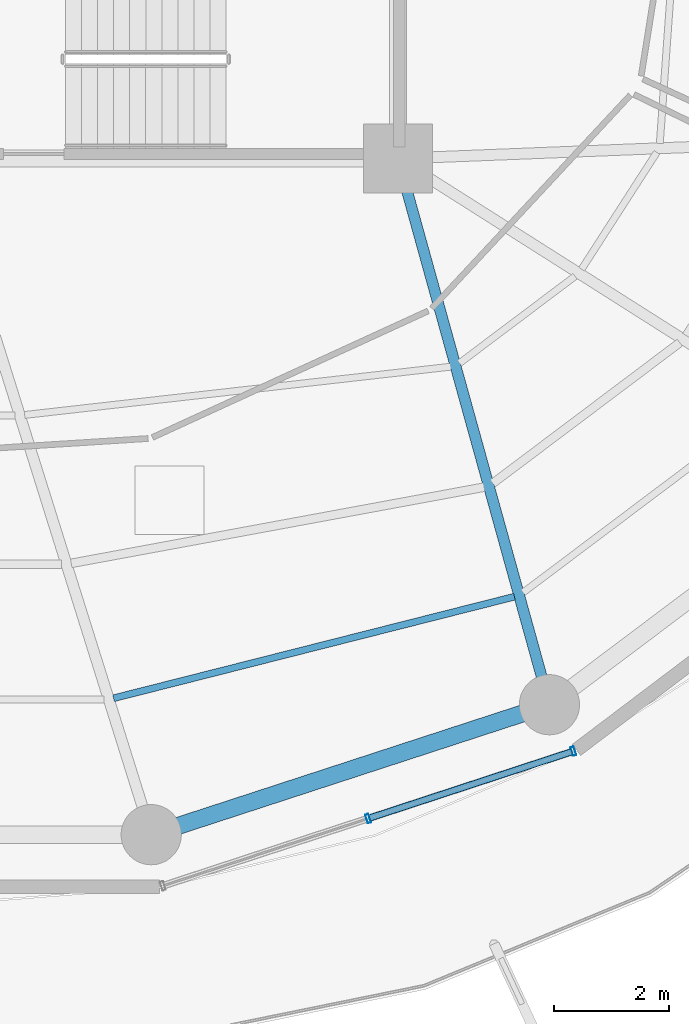
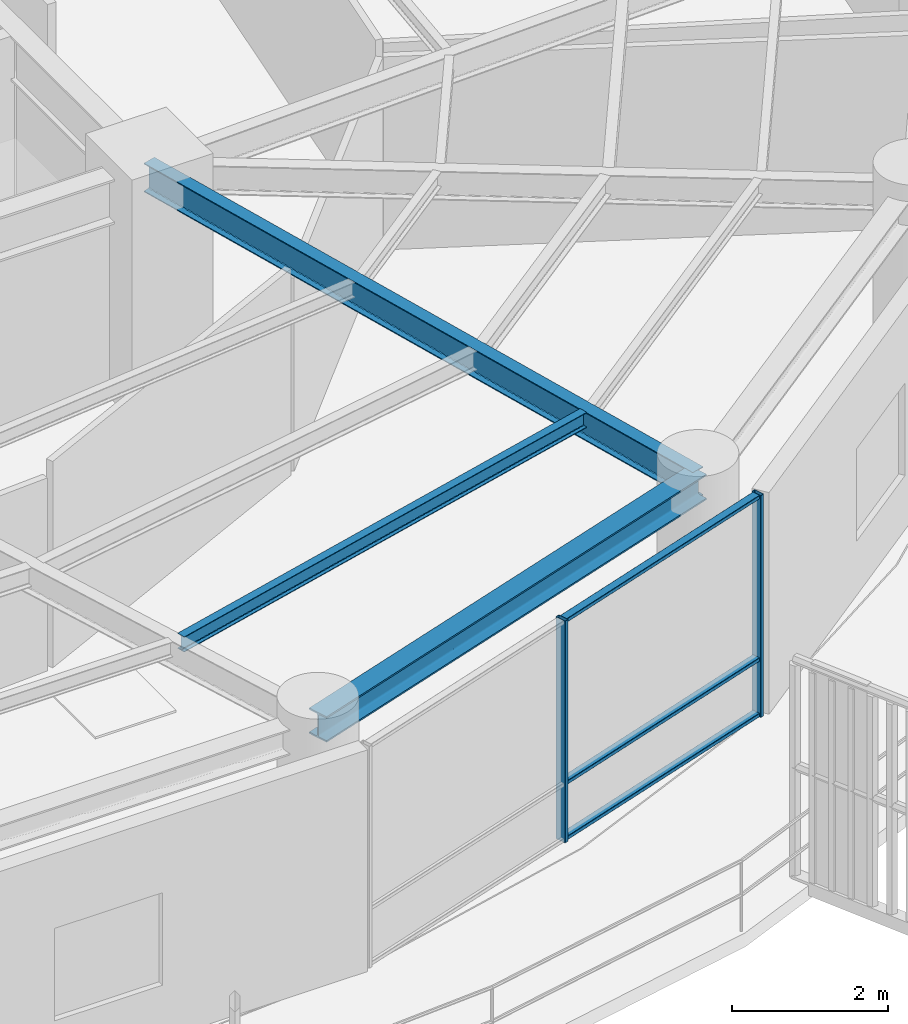
# One storey, part 10 of 30: 5 members, 3 beams, 1 element without a shape of its own.
"""IFC4 building model written with IfcOpenShell, lengths in metres."""

import ifcopenshell
import ifcopenshell.guid

model = None  # the IFC model being written
_history = None  # IfcOwnerHistory: only IFC2X3 demands one
_inside = {}  # id of a spatial element -> (the spatial element, [elements in it])
_under = {}  # id of a project, library or spatial element -> (it, [spatial elements below it])
_declared = {}  # id of a project -> (the project, [libraries it declares])
_typed = {}  # id of a type object -> (the type object, [elements of that type])
_made_of = {}  # id of a material, layer set ... -> (it, [elements and type objects made of it])


def new_model(schema):
    """Start an empty IFC model of exactly this schema.

    Asked for "IFC4X3", IfcOpenShell would pick the latest addendum, in which some entities
    have other attributes; the version numbers below select the first issue.
    IFC2X3 requires an IfcOwnerHistory on every rooted entity: one is made here for all.
    """
    global model, _history
    if schema == "IFC4X3":
        model = ifcopenshell.file(schema_version=(4, 3, 0, 0))
    else:
        model = ifcopenshell.file(schema=schema)
    _inside.clear()
    _under.clear()
    _declared.clear()
    _typed.clear()
    _made_of.clear()
    _history = None
    if model.schema == "IFC2X3":
        org = make("IfcOrganization", Name="unknown")
        user = make(
            "IfcPersonAndOrganization",
            ThePerson=make("IfcPerson", FamilyName="unknown"),
            TheOrganization=org,
        )
        app = make(
            "IfcApplication",
            ApplicationDeveloper=org,
            Version="unknown",
            ApplicationFullName="unknown",
            ApplicationIdentifier="unknown",
        )
        _history = make(
            "IfcOwnerHistory",
            OwningUser=user,
            OwningApplication=app,
            ChangeAction="ADDED",
            CreationDate=0,
        )
    return model


def make(cls, **values):
    """One entity of the class cls with the attributes given. An attribute that is None is left unset."""
    return model.create_entity(
        cls, **{name: value for name, value in values.items() if value is not None}
    )


def rooted(cls, **values):
    """An entity with a GlobalId (a new one), such as an element, a storey or a relation."""
    return make(cls, GlobalId=ifcopenshell.guid.new(), OwnerHistory=_history, **values)


def si_unit(unit_type, name, prefix=None):
    """IfcSIUnit, for example si_unit("LENGTHUNIT", "METRE", prefix="MILLI")."""
    return make("IfcSIUnit", UnitType=unit_type, Prefix=prefix, Name=name)


def assignment(units):
    """IfcUnitAssignment: the units of a project."""
    return None if units is None else make("IfcUnitAssignment", Units=units)


def point(xyz):
    """IfcCartesianPoint."""
    return None if xyz is None else make("IfcCartesianPoint", Coordinates=xyz)


def direction(xyz):
    """IfcDirection."""
    return None if xyz is None else make("IfcDirection", DirectionRatios=xyz)


def frame(location, z_axis=None, x_axis=None):
    """IfcAxis2Placement3D, a coordinate frame: its origin and axes. An axis left out is left unset."""
    return make(
        "IfcAxis2Placement3D",
        Location=point(location),
        Axis=direction(z_axis),
        RefDirection=direction(x_axis),
    )


def frame_2d(location, x_axis=None):
    """IfcAxis2Placement2D, a coordinate frame in the plane: its origin and x axis."""
    return make(
        "IfcAxis2Placement2D", Location=point(location), RefDirection=direction(x_axis)
    )


def origin():
    """The frame at (0, 0, 0) with its axes left unset."""
    return frame((0.0, 0.0, 0.0))


def origin_2d():
    """The frame at (0, 0) in the plane with its x axis left unset."""
    return frame_2d((0.0, 0.0))


def place(relative_to, where):
    """IfcLocalPlacement: puts the frame where relative to a parent placement (None: the world)."""
    return make(
        "IfcLocalPlacement", PlacementRelTo=relative_to, RelativePlacement=where
    )


def context(
    kind, dimensions, precision=None, world=None, true_north=None, identifier=None
):
    """IfcGeometricRepresentationContext, for example the 3D "Model" context."""
    return make(
        "IfcGeometricRepresentationContext",
        ContextIdentifier=identifier,
        ContextType=kind,
        CoordinateSpaceDimension=dimensions,
        Precision=precision,
        WorldCoordinateSystem=world,
        TrueNorth=true_north,
    )


def subcontext(parent, identifier, kind, view, scale=None):
    """IfcGeometricRepresentationSubContext, for example "Body" below "Model"."""
    return make(
        "IfcGeometricRepresentationSubContext",
        ContextIdentifier=identifier,
        ContextType=kind,
        ParentContext=parent,
        TargetScale=scale,
        TargetView=view,
    )


def project(units=None, contexts=None):
    """IfcProject with its units and contexts."""
    return rooted(
        "IfcProject",
        Name="project",
        RepresentationContexts=contexts,
        UnitsInContext=assignment(units),
    )


def spatial(cls, under=None, at=None, **own):
    """A site, building, storey or space (cls), placed at a placement, below another one or the project."""
    s = rooted(cls, ObjectPlacement=at, **own)
    if under is not None:
        _under.setdefault(under.id(), (under, []))[1].append(s)
    return s


def profile(cls, at=None, kind="AREA", **sizes):
    """A parametric profile (cls). Its sizes go by their IFC names, for example OverallWidth=200.0."""
    return make(cls, ProfileType=kind, Position=at, **sizes)


def hollow_rectangle(**sizes):
    """IfcRectangleHollowProfileDef."""
    return profile("IfcRectangleHollowProfileDef", **sizes)


def i_section(**sizes):
    """IfcIShapeProfileDef."""
    return profile("IfcIShapeProfileDef", **sizes)


def extrude(swept, where, along, depth):
    """IfcExtrudedAreaSolid: the profile swept, set in the frame where, extruded along a direction by depth."""
    return make(
        "IfcExtrudedAreaSolid",
        SweptArea=swept,
        Position=where,
        ExtrudedDirection=direction(along),
        Depth=depth,
    )


def shape(context_of_items, identifier, shape_type, items):
    """IfcShapeRepresentation: the items that make up one representation, for example the "Body"."""
    return make(
        "IfcShapeRepresentation",
        ContextOfItems=context_of_items,
        RepresentationIdentifier=identifier,
        RepresentationType=shape_type,
        Items=items,
    )


def material(Name=None, Category=None):
    """IfcMaterial."""
    return make("IfcMaterial", Name=Name, Category=Category)


def layer(
    of_material, thickness, ventilated=None, Name=None, Category=None, Priority=None
):
    """IfcMaterialLayer: one layer of a wall or slab, of a material (None: an air gap)."""
    return make(
        "IfcMaterialLayer",
        Material=of_material,
        LayerThickness=thickness,
        IsVentilated=ventilated,
        Name=Name,
        Category=Category,
        Priority=Priority,
    )


def layer_set(layers, Name=None):
    """IfcMaterialLayerSet."""
    return make("IfcMaterialLayerSet", MaterialLayers=layers, LayerSetName=Name)


def material_profile(
    of_material, cross_section, Name=None, Category=None, Priority=None
):
    """IfcMaterialProfile: a cross section and its material."""
    return make(
        "IfcMaterialProfile",
        Name=Name,
        Material=of_material,
        Profile=cross_section,
        Priority=Priority,
        Category=Category,
    )


def profile_set(profiles, Name=None, composite=None):
    """IfcMaterialProfileSet."""
    return make(
        "IfcMaterialProfileSet",
        Name=Name,
        MaterialProfiles=profiles,
        CompositeProfile=composite,
    )


def made_of(thing, what):
    """Note that an element or type object is made of a material, layer set ...; save() writes the relation."""
    if what is not None:
        _made_of.setdefault(what.id(), (what, []))[1].append(thing)
    return thing


def type_object(cls, material=None, **own):
    """A type object (cls), such as IfcWallType, which elements share."""
    return made_of(rooted(cls, **own), material)


def element(
    cls,
    number,
    at=None,
    inside=None,
    cuts=None,
    type_object=None,
    material=None,
    context=None,
    identifier="Body",
    shape_type=None,
    held_by="IfcProductDefinitionShape",
    body=None,
    shapes=None,
    **own,
):
    """One element of the class cls, such as IfcWall. Its Tag is "e" and its number.

    at: its placement. inside: the storey or other place that contains it. cuts: it is an
    opening in that element (IfcRelVoidsElement). A single representation is given by context,
    identifier, shape_type and body (its items); several are given by shapes. held_by: the class
    of the entity that holds the representations. save() writes the other relations.
    """
    e = rooted(cls, Tag="e%d" % number, ObjectPlacement=at, **own)
    if body is not None:
        shapes = [shape(context, identifier, shape_type, body)]
    if shapes is not None:
        e.Representation = make(held_by, Representations=shapes)
    if inside is not None:
        _inside.setdefault(inside.id(), (inside, []))[1].append(e)
    if cuts is not None:
        rooted(
            "IfcRelVoidsElement", RelatingBuildingElement=cuts, RelatedOpeningElement=e
        )
    if type_object is not None:
        _typed.setdefault(type_object.id(), (type_object, []))[1].append(e)
    return made_of(e, material)


def aggregate(whole, parts):
    """IfcRelAggregates: a whole, such as a stair, and the parts it consists of."""
    return rooted("IfcRelAggregates", RelatingObject=whole, RelatedObjects=parts)


def save(model, path):
    """Write the relations noted so far, then the file.

    IfcRelAggregates (storeys below a building ...), IfcRelContainedInSpatialStructure (elements
    in a storey), IfcRelDefinesByType, IfcRelAssociatesMaterial and IfcRelDeclares: one each for
    every whole, place, type object, material and project.
    """
    for whole, parts in _under.values():
        aggregate(whole, parts)
    for where, things in _inside.values():
        rooted(
            "IfcRelContainedInSpatialStructure",
            RelatedElements=things,
            RelatingStructure=where,
        )
    for kind, things in _typed.values():
        rooted("IfcRelDefinesByType", RelatedObjects=things, RelatingType=kind)
    for what, things in _made_of.values():
        rooted("IfcRelAssociatesMaterial", RelatedObjects=things, RelatingMaterial=what)
    for by, libraries in _declared.values():
        rooted("IfcRelDeclares", RelatingContext=by, RelatedDefinitions=libraries)
    model.write(path)


model = new_model("IFC4")

# Units and contexts
model_context = context("Model", 3, precision=1e-05, world=origin(), true_north=direction((0.0, 1.0)))
body_context = subcontext(model_context, "Body", "Model", "MODEL_VIEW")
ifc_project = project(units=[si_unit("LENGTHUNIT", "METRE"), si_unit("AREAUNIT", "SQUARE_METRE"), si_unit("VOLUMEUNIT", "CUBIC_METRE"), si_unit("PLANEANGLEUNIT", "RADIAN"), si_unit("MASSUNIT", "GRAM", prefix="KILO")], contexts=[model_context])

# Site, building, storey
site_placement = place(None, origin())
site = spatial("IfcSite", under=ifc_project, at=site_placement, CompositionType="ELEMENT")
building_placement = place(site_placement, origin())
building = spatial("IfcBuilding", under=site, at=building_placement, Name="Kelanora Arch Commons", CompositionType="ELEMENT")
storey_placement = place(building_placement, frame((0.0, 0.0, 215.699951171875)))
storey = spatial("IfcBuildingStorey", under=building, at=storey_placement, Name="L55", CompositionType="ELEMENT", Elevation=215.699951171875)

# Beams
ifc_material_1 = material(Name="Steel S355", Category="steel")
ifc_material_profile_1 = material_profile(ifc_material_1, i_section(OverallWidth=0.1201171875, OverallDepth=0.239990234375, WebThickness=0.006103515625, FlangeThickness=0.009765625, FilletRadius=0.014892578125, at=origin_2d()), Name="IPE240")
ifc_profile_set_1 = profile_set([ifc_material_profile_1], Name="Steel S355")
beam_type_1 = type_object("IfcBeamType", Name="BM-JST-02", PredefinedType="JOIST", material=ifc_profile_set_1)
beam_1_placement = place(storey_placement, frame((77.03857421875, 41.5888671875, 3.3701171875), z_axis=(0.969370989998, 0.245601066263, 0.0), x_axis=(-0.245601066263, 0.969370989998, 0.0)))
element("IfcBeam", 1, at=beam_1_placement, inside=storey, type_object=beam_type_1, Name="Secondary Chord Joist BJC-28 L55", PredefinedType="JOIST", context=body_context, shape_type="SweptSolid", body=[
    extrude(i_section(OverallWidth=0.1201171875, OverallDepth=0.239990234375, WebThickness=0.006103515625, FlangeThickness=0.009765625, FilletRadius=0.014892578125, at=origin_2d()), origin(), (0.0, 0.0, 1.0), 7.2119140625),
])
ifc_material_profile_2 = material_profile(ifc_material_1, i_section(OverallWidth=0.18994140625, OverallDepth=0.449951171875, WebThickness=0.009521484375, FlangeThickness=0.0146484375, FilletRadius=0.02099609375, at=origin_2d()), Name="IPE450")
ifc_profile_set_2 = profile_set([ifc_material_profile_2], Name="Steel S355")
beam_type_2 = type_object("IfcBeamType", Name="BM-RAD-Z4", PredefinedType="BEAM", material=ifc_profile_set_2)
beam_2_placement = place(storey_placement, frame((82.0, 51.0, 3.26513671875), z_axis=(0.267120164296, -0.963663228429, 0.0), x_axis=(0.963663228429, 0.267120164296, 0.0)))
element("IfcBeam", 2, at=beam_2_placement, inside=storey, type_object=beam_type_2, Name="Radial Floor Girder BR-30 L55", PredefinedType="BEAM", context=body_context, shape_type="SweptSolid", body=[
    extrude(i_section(OverallWidth=0.18994140625, OverallDepth=0.449951171875, WebThickness=0.009521484375, FlangeThickness=0.0146484375, FilletRadius=0.02099609375, at=origin_2d()), origin(), (0.0, 0.0, 1.0), 9.8828125),
])
ifc_material_profile_3 = material_profile(ifc_material_1, i_section(OverallWidth=0.300048828125, OverallDepth=0.39990234375, WebThickness=0.013427734375, FlangeThickness=0.02392578125, FilletRadius=0.027099609375, at=origin_2d()), Name="HEB400")
ifc_profile_set_3 = profile_set([ifc_material_profile_3], Name="Steel S355")
beam_type_3 = type_object("IfcBeamType", Name="BM-SPN-Z4", PredefinedType="SPANDREL", material=ifc_profile_set_3)
beam_3_placement = place(storey_placement, frame((77.6953125, 39.2099609375, 3.2900390625), z_axis=(0.950656361143, 0.310245842872, 0.0), x_axis=(-0.310245842872, 0.950656361143, 0.0)))
element("IfcBeam", 3, at=beam_3_placement, inside=storey, type_object=beam_type_3, Name="Perimeter Spandrel Beam BS-28 L55", PredefinedType="SPANDREL", context=body_context, shape_type="SweptSolid", body=[
    extrude(i_section(OverallWidth=0.300048828125, OverallDepth=0.39990234375, WebThickness=0.013427734375, FlangeThickness=0.02392578125, FilletRadius=0.027099609375, at=origin_2d()), origin(), (0.0, 0.0, 1.0), 7.304931640625),
])

# Curtain wall, members
ifc_material_2 = material(Name="Terracotta ceramic-fritted low-E glass and aluminium", Category="masonry")
ifc_layer = layer(ifc_material_2, 0.175048828125)
ifc_layer_set = layer_set([ifc_layer], Name="Terracotta ceramic-fritted low-E glass and aluminium")
curtain_wall_type = type_object("IfcCurtainWallType", Name="CW-SYS-02", PredefinedType="NOTDEFINED", material=ifc_layer_set)
curtain_wall_placement = place(storey_placement, origin())
curtain_wall = element("IfcCurtainWall", 4, at=curtain_wall_placement, inside=storey, type_object=curtain_wall_type, Name="Unitised Curtain Wall L55-B14", PredefinedType="NOTDEFINED")
ifc_material_3 = material(Name="Powder-coated aluminium terracotta", Category="masonry")
ifc_material_profile_4 = material_profile(ifc_material_3, hollow_rectangle(XDim=0.159912109375, YDim=0.06005859375, WallThickness=0.0048828125, InnerFilletRadius=0.0048828125, OuterFilletRadius=0.010009765625, at=origin_2d()), Name="CWM160x60")
ifc_profile_set_4 = profile_set([ifc_material_profile_4], Name="Powder-coated aluminium terracotta")
member_type_1 = type_object("IfcMemberType", Name="CWM-STD", PredefinedType="MULLION", material=ifc_profile_set_4)
member_1_placement = place(storey_placement, frame((81.4775390625, 39.49169921875, 0.0), z_axis=(0.0, 0.0, 1.0), x_axis=(-0.311582439059, 0.950219124029, 0.0)))
member_1 = element("IfcMember", 5, at=member_1_placement, type_object=member_type_1, Name="CW-02 mullion 2", PredefinedType="MULLION", context=body_context, shape_type="SweptSolid", body=[
    extrude(hollow_rectangle(XDim=0.159912109375, YDim=0.06005859375, WallThickness=0.0048828125, InnerFilletRadius=0.0048828125, OuterFilletRadius=0.010009765625, at=origin_2d()), origin(), (0.0, 0.0, 1.0), 3.47509765625),
])
member_2_placement = place(storey_placement, frame((85.05712890625, 40.66552734375, 0.0), z_axis=(0.0, 0.0, 1.0), x_axis=(-0.311582439059, 0.950219124029, 0.0)))
member_2 = element("IfcMember", 6, at=member_2_placement, type_object=member_type_1, Name="CW-02 mullion 3", PredefinedType="MULLION", context=body_context, shape_type="SweptSolid", body=[
    extrude(hollow_rectangle(XDim=0.159912109375, YDim=0.06005859375, WallThickness=0.0048828125, InnerFilletRadius=0.0048828125, OuterFilletRadius=0.010009765625, at=origin_2d()), origin(), (0.0, 0.0, 1.0), 3.47509765625),
])
ifc_material_profile_5 = material_profile(ifc_material_3, hollow_rectangle(XDim=0.1201171875, YDim=0.06005859375, WallThickness=0.0048828125, InnerFilletRadius=0.0048828125, OuterFilletRadius=0.010009765625, at=origin_2d()), Name="CWT120x60")
ifc_profile_set_5 = profile_set([ifc_material_profile_5], Name="Powder-coated aluminium terracotta")
member_type_2 = type_object("IfcMemberType", Name="CWT-STD", PredefinedType="USERDEFINED", material=ifc_profile_set_5)
member_3_placement = place(storey_placement, frame((81.506103515625, 39.5009765625, 0.030029296875), z_axis=(0.950226025222, 0.311561392011, 0.0), x_axis=(-0.311561392011, 0.950226025222, 0.0)))
member_3 = element("IfcMember", 7, at=member_3_placement, type_object=member_type_2, Name="CW-02 transom 2.1", ObjectType="TRANSOM", PredefinedType="USERDEFINED", context=body_context, shape_type="SweptSolid", body=[
    extrude(hollow_rectangle(XDim=0.1201171875, YDim=0.06005859375, WallThickness=0.0048828125, InnerFilletRadius=0.0048828125, OuterFilletRadius=0.010009765625, at=origin_2d()), origin(), (0.0, 0.0, 1.0), 3.707275390625),
])
member_4_placement = place(storey_placement, frame((81.506103515625, 39.5009765625, 0.900146484375), z_axis=(0.950226025222, 0.311561392011, 0.0), x_axis=(-0.311561392011, 0.950226025222, 0.0)))
member_4 = element("IfcMember", 8, at=member_4_placement, type_object=member_type_2, Name="CW-02 transom 2.2", ObjectType="TRANSOM", PredefinedType="USERDEFINED", context=body_context, shape_type="SweptSolid", body=[
    extrude(hollow_rectangle(XDim=0.1201171875, YDim=0.06005859375, WallThickness=0.0048828125, InnerFilletRadius=0.0048828125, OuterFilletRadius=0.010009765625, at=origin_2d()), origin(), (0.0, 0.0, 1.0), 3.707275390625),
])
member_5_placement = place(storey_placement, frame((81.506103515625, 39.5009765625, 3.445068359375), z_axis=(0.950226025222, 0.311561392011, 0.0), x_axis=(-0.311561392011, 0.950226025222, 0.0)))
member_5 = element("IfcMember", 9, at=member_5_placement, type_object=member_type_2, Name="CW-02 transom 2.3", ObjectType="TRANSOM", PredefinedType="USERDEFINED", context=body_context, shape_type="SweptSolid", body=[
    extrude(hollow_rectangle(XDim=0.1201171875, YDim=0.06005859375, WallThickness=0.0048828125, InnerFilletRadius=0.0048828125, OuterFilletRadius=0.010009765625, at=origin_2d()), origin(), (0.0, 0.0, 1.0), 3.707275390625),
])
aggregate(curtain_wall, [member_1, member_2, member_3, member_4, member_5])

save(model, "model.ifc")
